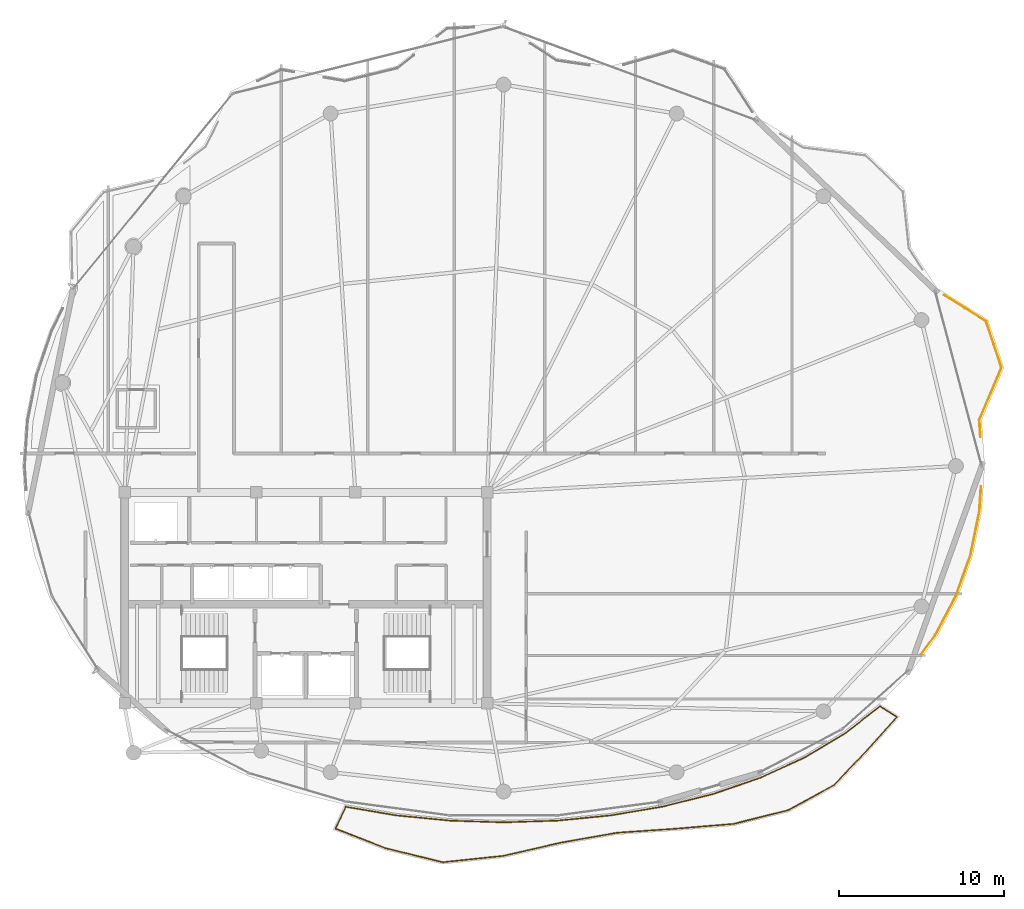
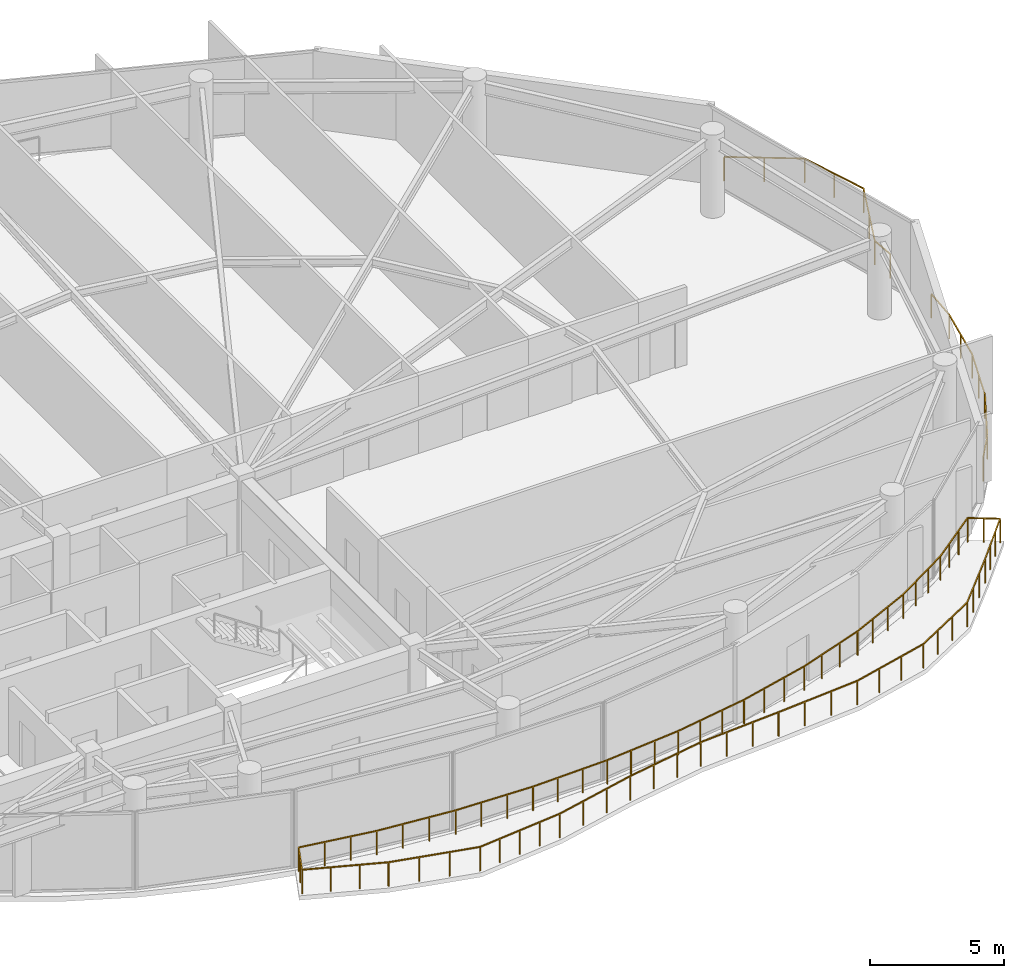
# One storey, part 28 of 29: 3 railings.
"""IFC4 building model written with IfcOpenShell, lengths in metres."""

from ifc_helpers import new_model, si_unit, direction, frame, origin, origin_2d, place, context, subcontext, project, spatial, rectangle, extrude, material, type_object, element, save


model = new_model("IFC4")

# Units and contexts
model_context = context("Model", 3, precision=1e-05, world=origin(), true_north=direction((0.0, 1.0)))
body_context = subcontext(model_context, "Body", "Model", "MODEL_VIEW")
ifc_project = project(units=[si_unit("LENGTHUNIT", "METRE"), si_unit("AREAUNIT", "SQUARE_METRE"), si_unit("VOLUMEUNIT", "CUBIC_METRE"), si_unit("PLANEANGLEUNIT", "RADIAN"), si_unit("MASSUNIT", "GRAM", prefix="KILO")], contexts=[model_context])

# Site, building, storey
site_placement = place(None, origin())
site = spatial("IfcSite", under=ifc_project, at=site_placement, CompositionType="ELEMENT")
building_placement = place(site_placement, origin())
building = spatial("IfcBuilding", under=site, at=building_placement, Name="Kazevale Care Tower and Concert Hall", CompositionType="ELEMENT")
storey_placement = place(building_placement, frame((0.0, 0.0, 285.199951171875)))
storey = spatial("IfcBuildingStorey", under=building, at=storey_placement, Name="L75", CompositionType="ELEMENT", Elevation=285.199951171875)

# Railings
ifc_material = material(Name="Anodised Bronze Aluminium and Laminated Glass", Category="aluminium")
railing_type = type_object("IfcRailingType", Name="Balcony and Terrace Balustrade 1120", PredefinedType="BALUSTRADE", material=ifc_material)
railing_1_placement = place(storey_placement, frame((73.97705078125, 36.751953125, 0.0)))
element("IfcRailing", 1, at=railing_1_placement, inside=storey, type_object=railing_type, Name="rail:L75:perim:10", PredefinedType="BALUSTRADE", context=body_context, shape_type="SweptSolid", body=[
    extrude(rectangle(XDim=0.048095703125, YDim=0.048095703125, at=origin_2d()), frame((0.0, 0.0, 1.09619140625), z_axis=(-0.066454463636, -0.997789458885, 0.0), x_axis=(0.997789458885, -0.066454463636, 0.0)), (0.0, 0.0, 1.0), 1.50634765625),
    extrude(rectangle(XDim=0.048095703125, YDim=0.048095703125, at=origin_2d()), frame((-0.10009765625, -1.5029296875, 1.09619140625), z_axis=(-0.200351117795, -0.979724159954, 0.0), x_axis=(0.979724159954, -0.200351117795, 0.0)), (0.0, 0.0, 1.0), 2.71484375),
    extrude(rectangle(XDim=0.048095703125, YDim=0.048095703125, at=origin_2d()), frame((-0.64404296875, -4.162841796875, 1.09619140625), z_axis=(-0.336533036542, -0.941671660036, 0.0), x_axis=(0.941671660036, -0.336533036542, 0.0)), (0.0, 0.0, 1.0), 2.674072265625),
    extrude(rectangle(XDim=0.048095703125, YDim=0.048095703125, at=origin_2d()), frame((-1.5439453125, -6.680908203125, 1.09619140625), z_axis=(-0.469135033055, -0.883126446643, 0.0), x_axis=(0.883126446643, -0.469135033055, 0.0)), (0.0, 0.0, 1.0), 2.652099609375),
    extrude(rectangle(XDim=0.048095703125, YDim=0.048095703125, at=origin_2d()), frame((-2.7880859375, -9.02294921875, 1.09619140625), z_axis=(-0.592278495921, -0.805733320193, 0.0), x_axis=(0.805733320193, -0.592278495921, 0.0)), (0.0, 0.0, 1.0), 1.45703125),
    extrude(rectangle(XDim=0.0419921875, YDim=0.0419921875, at=origin_2d()), origin(), (0.0, 0.0, 1.0), 1.072021484375),
    extrude(rectangle(XDim=0.0419921875, YDim=0.0419921875, at=origin_2d()), frame((-0.10009765625, -1.5029296875, 0.0)), (0.0, 0.0, 1.0), 1.072021484375),
    extrude(rectangle(XDim=0.0419921875, YDim=0.0419921875, at=origin_2d()), frame((-0.3720703125, -2.8330078125, 0.0)), (0.0, 0.0, 1.0), 1.072021484375),
    extrude(rectangle(XDim=0.0419921875, YDim=0.0419921875, at=origin_2d()), frame((-0.64404296875, -4.162841796875, 0.0)), (0.0, 0.0, 1.0), 1.072021484375),
    extrude(rectangle(XDim=0.0419921875, YDim=0.0419921875, at=origin_2d()), frame((-1.093994140625, -5.421875, 0.0)), (0.0, 0.0, 1.0), 1.072021484375),
    extrude(rectangle(XDim=0.0419921875, YDim=0.0419921875, at=origin_2d()), frame((-1.5439453125, -6.680908203125, 0.0)), (0.0, 0.0, 1.0), 1.072021484375),
    extrude(rectangle(XDim=0.0419921875, YDim=0.0419921875, at=origin_2d()), frame((-2.166015625, -7.85205078125, 0.0)), (0.0, 0.0, 1.0), 1.072021484375),
    extrude(rectangle(XDim=0.0419921875, YDim=0.0419921875, at=origin_2d()), frame((-2.7880859375, -9.02294921875, 0.0)), (0.0, 0.0, 1.0), 1.072021484375),
    extrude(rectangle(XDim=0.0419921875, YDim=0.0419921875, at=origin_2d()), frame((-3.651123046875, -10.197021484375, 0.0)), (0.0, 0.0, 1.0), 1.072021484375),
])
railing_2_placement = place(storey_placement, frame((71.72802734375, 48.3759765625, 0.0)))
element("IfcRailing", 2, at=railing_2_placement, inside=storey, type_object=railing_type, Name="rail:L75:perim:11", PredefinedType="BALUSTRADE", context=body_context, shape_type="SweptSolid", body=[
    extrude(rectangle(XDim=0.048095703125, YDim=0.048095703125, at=origin_2d()), frame((0.0, 0.0, 1.09619140625), z_axis=(0.847693498909, -0.530486316418, 0.0), x_axis=(0.530486316418, 0.847693498909, 0.0)), (0.0, 0.0, 1.0), 3.016357421875),
    extrude(rectangle(XDim=0.048095703125, YDim=0.048095703125, at=origin_2d()), frame((2.556884765625, -1.60009765625, 1.09619140625), z_axis=(0.316973292924, -0.94843446351, 0.0), x_axis=(0.94843446351, 0.316973292924, 0.0)), (0.0, 0.0, 1.0), 2.94677734375),
    extrude(rectangle(XDim=0.048095703125, YDim=0.048095703125, at=origin_2d()), frame((3.490966796875, -4.39501953125, 1.09619140625), z_axis=(-0.390449664496, -0.92062427705, 0.0), x_axis=(0.92062427705, -0.390449664496, 0.0)), (0.0, 0.0, 1.0), 3.442138671875),
    extrude(rectangle(XDim=0.048095703125, YDim=0.048095703125, at=origin_2d()), frame((2.14697265625, -7.56396484375, 1.09619140625), z_axis=(0.064912933057, -0.997890931476, 0.0), x_axis=(0.997890931476, 0.064912933057, 0.0)), (0.0, 0.0, 1.0), 1.04931640625),
    extrude(rectangle(XDim=0.0419921875, YDim=0.0419921875, at=origin_2d()), origin(), (0.0, 0.0, 1.0), 1.072021484375),
    extrude(rectangle(XDim=0.0419921875, YDim=0.0419921875, at=origin_2d()), frame((1.2783203125, -0.800048828125, 0.0)), (0.0, 0.0, 1.0), 1.072021484375),
    extrude(rectangle(XDim=0.0419921875, YDim=0.0419921875, at=origin_2d()), frame((2.556884765625, -1.60009765625, 0.0)), (0.0, 0.0, 1.0), 1.072021484375),
    extrude(rectangle(XDim=0.0419921875, YDim=0.0419921875, at=origin_2d()), frame((3.02392578125, -2.99755859375, 0.0)), (0.0, 0.0, 1.0), 1.072021484375),
    extrude(rectangle(XDim=0.0419921875, YDim=0.0419921875, at=origin_2d()), frame((3.490966796875, -4.39501953125, 0.0)), (0.0, 0.0, 1.0), 1.072021484375),
    extrude(rectangle(XDim=0.0419921875, YDim=0.0419921875, at=origin_2d()), frame((2.81884765625, -5.9794921875, 0.0)), (0.0, 0.0, 1.0), 1.072021484375),
    extrude(rectangle(XDim=0.0419921875, YDim=0.0419921875, at=origin_2d()), frame((2.14697265625, -7.56396484375, 0.0)), (0.0, 0.0, 1.0), 1.072021484375),
    extrude(rectangle(XDim=0.0419921875, YDim=0.0419921875, at=origin_2d()), frame((2.215087890625, -8.611083984375, 0.0)), (0.0, 0.0, 1.0), 1.072021484375),
])
railing_3_placement = place(storey_placement, frame((35.424072265625, 17.319091796875, 0.0)))
element("IfcRailing", 3, at=railing_3_placement, inside=storey, type_object=railing_type, Name="rail:L75:balcony", PredefinedType="BALUSTRADE", context=body_context, shape_type="SweptSolid", body=[
    extrude(rectangle(XDim=0.048095703125, YDim=0.048095703125, at=origin_2d()), frame((0.0, 0.0, 1.09619140625), z_axis=(0.985883626942, -0.167431998516, 0.0), x_axis=(0.167431998516, 0.985883626942, 0.0)), (0.0, 0.0, 1.0), 3.10595703125),
    extrude(rectangle(XDim=0.048095703125, YDim=0.048095703125, at=origin_2d()), frame((3.06201171875, -0.52001953125, 1.09619140625), z_axis=(0.995202326145, -0.097838285119, 0.0), x_axis=(0.097838285119, 0.995202326145, 0.0)), (0.0, 0.0, 1.0), 3.25146484375),
    extrude(rectangle(XDim=0.048095703125, YDim=0.048095703125, at=origin_2d()), frame((6.2978515625, -0.838134765625, 1.09619140625), z_axis=(0.999478023027, -0.032306059581, 0.0), x_axis=(0.032306059581, 0.999478023027, 0.0)), (0.0, 0.0, 1.0), 3.27978515625),
    extrude(rectangle(XDim=0.048095703125, YDim=0.048095703125, at=origin_2d()), frame((9.575927734375, -0.944091796875, 1.09619140625), z_axis=(0.999478023027, 0.032306059581, 0.0), x_axis=(-0.032306059581, 0.999478023027, 0.0)), (0.0, 0.0, 1.0), 3.27978515625),
    extrude(rectangle(XDim=0.048095703125, YDim=0.048095703125, at=origin_2d()), frame((12.85400390625, -0.838134765625, 1.09619140625), z_axis=(0.995202326145, 0.097838285119, 0.0), x_axis=(-0.097838285119, 0.995202326145, 0.0)), (0.0, 0.0, 1.0), 3.25146484375),
    extrude(rectangle(XDim=0.048095703125, YDim=0.048095703125, at=origin_2d()), frame((16.08984375, -0.52001953125, 1.09619140625), z_axis=(0.985888464626, 0.167403510471, 0.0), x_axis=(-0.167403510471, 0.985888464626, 0.0)), (0.0, 0.0, 1.0), 3.201171875),
    extrude(rectangle(XDim=0.048095703125, YDim=0.048095703125, at=origin_2d()), frame((19.245849609375, 0.015869140625, 1.09619140625), z_axis=(0.970197562423, 0.242315269572, 0.0), x_axis=(-0.242315269572, 0.970197562423, 0.0)), (0.0, 0.0, 1.0), 3.12841796875),
    extrude(rectangle(XDim=0.048095703125, YDim=0.048095703125, at=origin_2d()), frame((22.281005859375, 0.77392578125, 1.09619140625), z_axis=(0.945779087346, 0.324810587788, 0.0), x_axis=(-0.324810587788, 0.945779087346, 0.0)), (0.0, 0.0, 1.0), 3.0419921875),
    extrude(rectangle(XDim=0.048095703125, YDim=0.048095703125, at=origin_2d()), frame((25.157958984375, 1.761962890625, 1.09619140625), z_axis=(0.909747168294, 0.415162726869, 0.0), x_axis=(-0.415162726869, 0.909747168294, 0.0)), (0.0, 0.0, 1.0), 2.947998046875),
    extrude(rectangle(XDim=0.048095703125, YDim=0.048095703125, at=origin_2d()), frame((27.83984375, 2.98583984375, 1.09619140625), z_axis=(0.858628906565, 0.512597698796, 0.0), x_axis=(-0.512597698796, 0.858628906565, 0.0)), (0.0, 0.0, 1.0), 2.858154296875),
    extrude(rectangle(XDim=0.048095703125, YDim=0.048095703125, at=origin_2d()), frame((30.2939453125, 4.450927734375, 1.09619140625), z_axis=(0.789596616282, 0.613626257225, 0.0), x_axis=(-0.613626257225, 0.789596616282, 0.0)), (0.0, 0.0, 1.0), 2.688720703125),
    extrude(rectangle(XDim=0.048095703125, YDim=0.048095703125, at=origin_2d()), frame((32.4169921875, 6.100830078125, 1.09619140625), z_axis=(0.845365086767, -0.534188983484, 0.0), x_axis=(0.534188983484, 0.845365086767, 0.0)), (0.0, 0.0, 1.0), 1.218505859375),
    extrude(rectangle(XDim=0.048095703125, YDim=0.048095703125, at=origin_2d()), frame((33.447021484375, 5.449951171875, 1.09619140625), z_axis=(-0.669496628217, -0.742815094627, 0.0), x_axis=(0.742815094627, -0.669496628217, 0.0)), (0.0, 0.0, 1.0), 2.687255859375),
    extrude(rectangle(XDim=0.048095703125, YDim=0.048095703125, at=origin_2d()), frame((31.64794921875, 3.453857421875, 1.09619140625), z_axis=(-0.686324547686, -0.727295411262, 0.0), x_axis=(0.727295411262, -0.686324547686, 0.0)), (0.0, 0.0, 1.0), 2.92578125),
    extrude(rectangle(XDim=0.048095703125, YDim=0.048095703125, at=origin_2d()), frame((29.639892578125, 1.325927734375, 1.09619140625), z_axis=(-0.876538899394, -0.481331027309, 0.0), x_axis=(0.481331027309, -0.876538899394, 0.0)), (0.0, 0.0, 1.0), 3.157958984375),
    extrude(rectangle(XDim=0.048095703125, YDim=0.048095703125, at=origin_2d()), frame((26.871826171875, -0.194091796875, 1.09619140625), z_axis=(-0.969639367361, -0.244539357288, 0.0), x_axis=(0.244539357288, -0.969639367361, 0.0)), (0.0, 0.0, 1.0), 3.439453125),
    extrude(rectangle(XDim=0.048095703125, YDim=0.048095703125, at=origin_2d()), frame((23.536865234375, -1.03515625, 1.09619140625), z_axis=(-0.996554660556, -0.082938582842, 0.0), x_axis=(0.082938582842, -0.996554660556, 0.0)), (0.0, 0.0, 1.0), 3.59130859375),
    extrude(rectangle(XDim=0.048095703125, YDim=0.048095703125, at=origin_2d()), frame((19.9580078125, -1.3330078125, 1.09619140625), z_axis=(-0.997637078577, -0.068704144331, 0.0), x_axis=(0.068704144331, -0.997637078577, 0.0)), (0.0, 0.0, 1.0), 3.50732421875),
    extrude(rectangle(XDim=0.048095703125, YDim=0.048095703125, at=origin_2d()), frame((16.458984375, -1.573974609375, 1.09619140625), z_axis=(-0.984897362392, -0.173139208596, 0.0), x_axis=(0.173139208596, -0.984897362392, 0.0)), (0.0, 0.0, 1.0), 3.448974609375),
    extrude(rectangle(XDim=0.048095703125, YDim=0.048095703125, at=origin_2d()), frame((13.06201171875, -2.171142578125, 1.09619140625), z_axis=(-0.974585271277, -0.224016849835, 0.0), x_axis=(0.224016849835, -0.974585271277, 0.0)), (0.0, 0.0, 1.0), 3.597412109375),
    extrude(rectangle(XDim=0.048095703125, YDim=0.048095703125, at=origin_2d()), frame((9.555908203125, -2.97705078125, 1.09619140625), z_axis=(-0.994500006617, -0.104736511488, 0.0), x_axis=(0.104736511488, -0.994500006617, 0.0)), (0.0, 0.0, 1.0), 3.685302734375),
    extrude(rectangle(XDim=0.048095703125, YDim=0.048095703125, at=origin_2d()), frame((5.890869140625, -3.363037109375, 1.09619140625), z_axis=(-0.971338282133, 0.237701370762, 0.0), x_axis=(-0.237701370762, -0.971338282133, 0.0)), (0.0, 0.0, 1.0), 3.567138671875),
    extrude(rectangle(XDim=0.048095703125, YDim=0.048095703125, at=origin_2d()), frame((2.426025390625, -2.51513671875, 1.09619140625), z_axis=(-0.931405588003, 0.36398300872, 0.0), x_axis=(-0.36398300872, -0.931405588003, 0.0)), (0.0, 0.0, 1.0), 3.2724609375),
    extrude(rectangle(XDim=0.048095703125, YDim=0.048095703125, at=origin_2d()), frame((-0.6220703125, -1.323974609375, 1.09619140625), z_axis=(0.425250410478, 0.905075736272, 0.0), x_axis=(-0.905075736272, 0.425250410478, 0.0)), (0.0, 0.0, 1.0), 1.462890625),
    extrude(rectangle(XDim=0.0419921875, YDim=0.0419921875, at=origin_2d()), origin(), (0.0, 0.0, 1.0), 1.072021484375),
    extrude(rectangle(XDim=0.0419921875, YDim=0.0419921875, at=origin_2d()), frame((1.020751953125, -0.17333984375, 0.0)), (0.0, 0.0, 1.0), 1.072021484375),
    extrude(rectangle(XDim=0.0419921875, YDim=0.0419921875, at=origin_2d()), frame((2.041259765625, -0.3466796875, 0.0)), (0.0, 0.0, 1.0), 1.072021484375),
    extrude(rectangle(XDim=0.0419921875, YDim=0.0419921875, at=origin_2d()), frame((3.06201171875, -0.52001953125, 0.0)), (0.0, 0.0, 1.0), 1.072021484375),
    extrude(rectangle(XDim=0.0419921875, YDim=0.0419921875, at=origin_2d()), frame((4.140625, -0.6259765625, 0.0)), (0.0, 0.0, 1.0), 1.072021484375),
    extrude(rectangle(XDim=0.0419921875, YDim=0.0419921875, at=origin_2d()), frame((5.21923828125, -0.732177734375, 0.0)), (0.0, 0.0, 1.0), 1.072021484375),
    extrude(rectangle(XDim=0.0419921875, YDim=0.0419921875, at=origin_2d()), frame((6.2978515625, -0.838134765625, 0.0)), (0.0, 0.0, 1.0), 1.072021484375),
    extrude(rectangle(XDim=0.0419921875, YDim=0.0419921875, at=origin_2d()), frame((7.390625, -0.87353515625, 0.0)), (0.0, 0.0, 1.0), 1.072021484375),
    extrude(rectangle(XDim=0.0419921875, YDim=0.0419921875, at=origin_2d()), frame((8.483154296875, -0.90869140625, 0.0)), (0.0, 0.0, 1.0), 1.072021484375),
    extrude(rectangle(XDim=0.0419921875, YDim=0.0419921875, at=origin_2d()), frame((9.575927734375, -0.944091796875, 0.0)), (0.0, 0.0, 1.0), 1.072021484375),
    extrude(rectangle(XDim=0.0419921875, YDim=0.0419921875, at=origin_2d()), frame((10.668701171875, -0.90869140625, 0.0)), (0.0, 0.0, 1.0), 1.072021484375),
    extrude(rectangle(XDim=0.0419921875, YDim=0.0419921875, at=origin_2d()), frame((11.76123046875, -0.87353515625, 0.0)), (0.0, 0.0, 1.0), 1.072021484375),
    extrude(rectangle(XDim=0.0419921875, YDim=0.0419921875, at=origin_2d()), frame((12.85400390625, -0.838134765625, 0.0)), (0.0, 0.0, 1.0), 1.072021484375),
    extrude(rectangle(XDim=0.0419921875, YDim=0.0419921875, at=origin_2d()), frame((13.9326171875, -0.732177734375, 0.0)), (0.0, 0.0, 1.0), 1.072021484375),
    extrude(rectangle(XDim=0.0419921875, YDim=0.0419921875, at=origin_2d()), frame((15.01123046875, -0.6259765625, 0.0)), (0.0, 0.0, 1.0), 1.072021484375),
    extrude(rectangle(XDim=0.0419921875, YDim=0.0419921875, at=origin_2d()), frame((16.08984375, -0.52001953125, 0.0)), (0.0, 0.0, 1.0), 1.072021484375),
    extrude(rectangle(XDim=0.0419921875, YDim=0.0419921875, at=origin_2d()), frame((17.141845703125, -0.34130859375, 0.0)), (0.0, 0.0, 1.0), 1.072021484375),
    extrude(rectangle(XDim=0.0419921875, YDim=0.0419921875, at=origin_2d()), frame((18.19384765625, -0.162841796875, 0.0)), (0.0, 0.0, 1.0), 1.072021484375),
    extrude(rectangle(XDim=0.0419921875, YDim=0.0419921875, at=origin_2d()), frame((19.245849609375, 0.015869140625, 0.0)), (0.0, 0.0, 1.0), 1.072021484375),
    extrude(rectangle(XDim=0.0419921875, YDim=0.0419921875, at=origin_2d()), frame((20.257568359375, 0.2685546875, 0.0)), (0.0, 0.0, 1.0), 1.072021484375),
    extrude(rectangle(XDim=0.0419921875, YDim=0.0419921875, at=origin_2d()), frame((21.269287109375, 0.521240234375, 0.0)), (0.0, 0.0, 1.0), 1.072021484375),
    extrude(rectangle(XDim=0.0419921875, YDim=0.0419921875, at=origin_2d()), frame((22.281005859375, 0.77392578125, 0.0)), (0.0, 0.0, 1.0), 1.072021484375),
    extrude(rectangle(XDim=0.0419921875, YDim=0.0419921875, at=origin_2d()), frame((23.239990234375, 1.103271484375, 0.0)), (0.0, 0.0, 1.0), 1.072021484375),
    extrude(rectangle(XDim=0.0419921875, YDim=0.0419921875, at=origin_2d()), frame((24.198974609375, 1.4326171875, 0.0)), (0.0, 0.0, 1.0), 1.072021484375),
    extrude(rectangle(XDim=0.0419921875, YDim=0.0419921875, at=origin_2d()), frame((25.157958984375, 1.761962890625, 0.0)), (0.0, 0.0, 1.0), 1.072021484375),
    extrude(rectangle(XDim=0.0419921875, YDim=0.0419921875, at=origin_2d()), frame((26.052001953125, 2.169921875, 0.0)), (0.0, 0.0, 1.0), 1.072021484375),
    extrude(rectangle(XDim=0.0419921875, YDim=0.0419921875, at=origin_2d()), frame((26.94580078125, 2.577880859375, 0.0)), (0.0, 0.0, 1.0), 1.072021484375),
    extrude(rectangle(XDim=0.0419921875, YDim=0.0419921875, at=origin_2d()), frame((27.83984375, 2.98583984375, 0.0)), (0.0, 0.0, 1.0), 1.072021484375),
    extrude(rectangle(XDim=0.0419921875, YDim=0.0419921875, at=origin_2d()), frame((28.657958984375, 3.47412109375, 0.0)), (0.0, 0.0, 1.0), 1.072021484375),
    extrude(rectangle(XDim=0.0419921875, YDim=0.0419921875, at=origin_2d()), frame((29.475830078125, 3.962646484375, 0.0)), (0.0, 0.0, 1.0), 1.072021484375),
    extrude(rectangle(XDim=0.0419921875, YDim=0.0419921875, at=origin_2d()), frame((30.2939453125, 4.450927734375, 0.0)), (0.0, 0.0, 1.0), 1.072021484375),
    extrude(rectangle(XDim=0.0419921875, YDim=0.0419921875, at=origin_2d()), frame((31.001708984375, 5.0009765625, 0.0)), (0.0, 0.0, 1.0), 1.072021484375),
    extrude(rectangle(XDim=0.0419921875, YDim=0.0419921875, at=origin_2d()), frame((31.709228515625, 5.55078125, 0.0)), (0.0, 0.0, 1.0), 1.072021484375),
    extrude(rectangle(XDim=0.0419921875, YDim=0.0419921875, at=origin_2d()), frame((32.4169921875, 6.100830078125, 0.0)), (0.0, 0.0, 1.0), 1.072021484375),
    extrude(rectangle(XDim=0.0419921875, YDim=0.0419921875, at=origin_2d()), frame((32.93212890625, 5.775390625, 0.0)), (0.0, 0.0, 1.0), 1.072021484375),
    extrude(rectangle(XDim=0.0419921875, YDim=0.0419921875, at=origin_2d()), frame((33.447021484375, 5.449951171875, 0.0)), (0.0, 0.0, 1.0), 1.072021484375),
    extrude(rectangle(XDim=0.0419921875, YDim=0.0419921875, at=origin_2d()), frame((32.847412109375, 4.78466796875, 0.0)), (0.0, 0.0, 1.0), 1.072021484375),
    extrude(rectangle(XDim=0.0419921875, YDim=0.0419921875, at=origin_2d()), frame((32.24755859375, 4.119140625, 0.0)), (0.0, 0.0, 1.0), 1.072021484375),
    extrude(rectangle(XDim=0.0419921875, YDim=0.0419921875, at=origin_2d()), frame((31.64794921875, 3.453857421875, 0.0)), (0.0, 0.0, 1.0), 1.072021484375),
    extrude(rectangle(XDim=0.0419921875, YDim=0.0419921875, at=origin_2d()), frame((30.978515625, 2.74462890625, 0.0)), (0.0, 0.0, 1.0), 1.072021484375),
    extrude(rectangle(XDim=0.0419921875, YDim=0.0419921875, at=origin_2d()), frame((30.309326171875, 2.03515625, 0.0)), (0.0, 0.0, 1.0), 1.072021484375),
    extrude(rectangle(XDim=0.0419921875, YDim=0.0419921875, at=origin_2d()), frame((29.639892578125, 1.325927734375, 0.0)), (0.0, 0.0, 1.0), 1.072021484375),
    extrude(rectangle(XDim=0.0419921875, YDim=0.0419921875, at=origin_2d()), frame((28.71728515625, 0.8193359375, 0.0)), (0.0, 0.0, 1.0), 1.072021484375),
    extrude(rectangle(XDim=0.0419921875, YDim=0.0419921875, at=origin_2d()), frame((27.79443359375, 0.3125, 0.0)), (0.0, 0.0, 1.0), 1.072021484375),
    extrude(rectangle(XDim=0.0419921875, YDim=0.0419921875, at=origin_2d()), frame((26.871826171875, -0.194091796875, 0.0)), (0.0, 0.0, 1.0), 1.072021484375),
    extrude(rectangle(XDim=0.0419921875, YDim=0.0419921875, at=origin_2d()), frame((25.76025390625, -0.474365234375, 0.0)), (0.0, 0.0, 1.0), 1.072021484375),
    extrude(rectangle(XDim=0.0419921875, YDim=0.0419921875, at=origin_2d()), frame((24.6484375, -0.7548828125, 0.0)), (0.0, 0.0, 1.0), 1.072021484375),
    extrude(rectangle(XDim=0.0419921875, YDim=0.0419921875, at=origin_2d()), frame((23.536865234375, -1.03515625, 0.0)), (0.0, 0.0, 1.0), 1.072021484375),
    extrude(rectangle(XDim=0.0419921875, YDim=0.0419921875, at=origin_2d()), frame((22.343994140625, -1.134521484375, 0.0)), (0.0, 0.0, 1.0), 1.072021484375),
    extrude(rectangle(XDim=0.0419921875, YDim=0.0419921875, at=origin_2d()), frame((21.15087890625, -1.233642578125, 0.0)), (0.0, 0.0, 1.0), 1.072021484375),
    extrude(rectangle(XDim=0.0419921875, YDim=0.0419921875, at=origin_2d()), frame((19.9580078125, -1.3330078125, 0.0)), (0.0, 0.0, 1.0), 1.072021484375),
    extrude(rectangle(XDim=0.0419921875, YDim=0.0419921875, at=origin_2d()), frame((18.791748046875, -1.413330078125, 0.0)), (0.0, 0.0, 1.0), 1.072021484375),
    extrude(rectangle(XDim=0.0419921875, YDim=0.0419921875, at=origin_2d()), frame((17.625244140625, -1.49365234375, 0.0)), (0.0, 0.0, 1.0), 1.072021484375),
    extrude(rectangle(XDim=0.0419921875, YDim=0.0419921875, at=origin_2d()), frame((16.458984375, -1.573974609375, 0.0)), (0.0, 0.0, 1.0), 1.072021484375),
    extrude(rectangle(XDim=0.0419921875, YDim=0.0419921875, at=origin_2d()), frame((15.32666015625, -1.77294921875, 0.0)), (0.0, 0.0, 1.0), 1.072021484375),
    extrude(rectangle(XDim=0.0419921875, YDim=0.0419921875, at=origin_2d()), frame((14.1943359375, -1.97216796875, 0.0)), (0.0, 0.0, 1.0), 1.072021484375),
    extrude(rectangle(XDim=0.0419921875, YDim=0.0419921875, at=origin_2d()), frame((13.06201171875, -2.171142578125, 0.0)), (0.0, 0.0, 1.0), 1.072021484375),
    extrude(rectangle(XDim=0.0419921875, YDim=0.0419921875, at=origin_2d()), frame((11.893310546875, -2.439697265625, 0.0)), (0.0, 0.0, 1.0), 1.072021484375),
    extrude(rectangle(XDim=0.0419921875, YDim=0.0419921875, at=origin_2d()), frame((10.724609375, -2.70849609375, 0.0)), (0.0, 0.0, 1.0), 1.072021484375),
    extrude(rectangle(XDim=0.0419921875, YDim=0.0419921875, at=origin_2d()), frame((9.555908203125, -2.97705078125, 0.0)), (0.0, 0.0, 1.0), 1.072021484375),
    extrude(rectangle(XDim=0.0419921875, YDim=0.0419921875, at=origin_2d()), frame((8.6396484375, -3.073486328125, 0.0)), (0.0, 0.0, 1.0), 1.072021484375),
    extrude(rectangle(XDim=0.0419921875, YDim=0.0419921875, at=origin_2d()), frame((7.723388671875, -3.169921875, 0.0)), (0.0, 0.0, 1.0), 1.072021484375),
    extrude(rectangle(XDim=0.0419921875, YDim=0.0419921875, at=origin_2d()), frame((6.80712890625, -3.2666015625, 0.0)), (0.0, 0.0, 1.0), 1.072021484375),
    extrude(rectangle(XDim=0.0419921875, YDim=0.0419921875, at=origin_2d()), frame((5.890869140625, -3.363037109375, 0.0)), (0.0, 0.0, 1.0), 1.072021484375),
    extrude(rectangle(XDim=0.0419921875, YDim=0.0419921875, at=origin_2d()), frame((4.73583984375, -3.080322265625, 0.0)), (0.0, 0.0, 1.0), 1.072021484375),
    extrude(rectangle(XDim=0.0419921875, YDim=0.0419921875, at=origin_2d()), frame((3.5810546875, -2.7978515625, 0.0)), (0.0, 0.0, 1.0), 1.072021484375),
    extrude(rectangle(XDim=0.0419921875, YDim=0.0419921875, at=origin_2d()), frame((2.426025390625, -2.51513671875, 0.0)), (0.0, 0.0, 1.0), 1.072021484375),
    extrude(rectangle(XDim=0.0419921875, YDim=0.0419921875, at=origin_2d()), frame((1.409912109375, -2.1181640625, 0.0)), (0.0, 0.0, 1.0), 1.072021484375),
    extrude(rectangle(XDim=0.0419921875, YDim=0.0419921875, at=origin_2d()), frame((0.39404296875, -1.720947265625, 0.0)), (0.0, 0.0, 1.0), 1.072021484375),
    extrude(rectangle(XDim=0.0419921875, YDim=0.0419921875, at=origin_2d()), frame((-0.6220703125, -1.323974609375, 0.0)), (0.0, 0.0, 1.0), 1.072021484375),
    extrude(rectangle(XDim=0.0419921875, YDim=0.0419921875, at=origin_2d()), frame((-0.31103515625, -0.662109375, 0.0)), (0.0, 0.0, 1.0), 1.072021484375),
])

save(model, "model.ifc")
